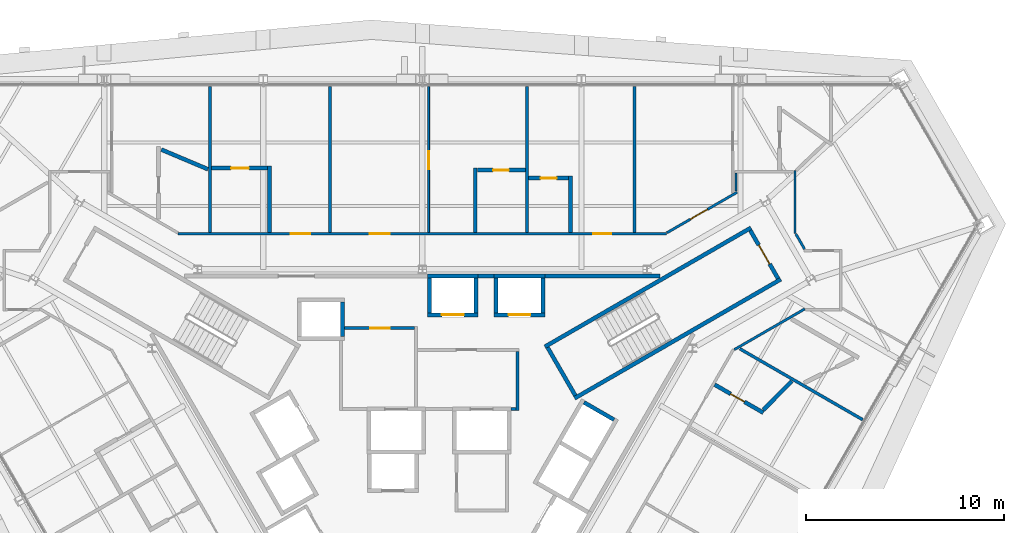
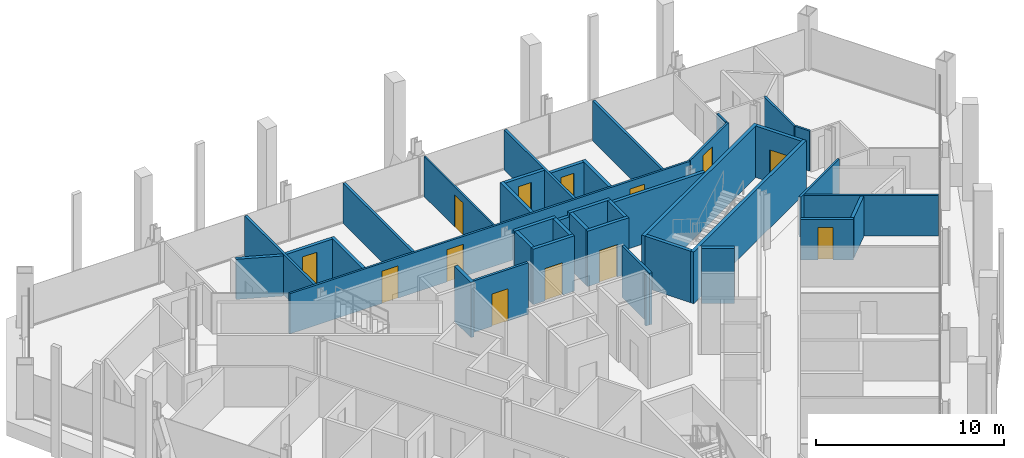
# One storey, part 13 of 16: 40 walls, 13 doors, 13 openings.
"""IFC4 building model written with IfcOpenShell, lengths in metres."""

from ifc_helpers import new_model, si_unit, direction, frame, frame_2d, origin, place, context, subcontext, project, spatial, rectangle, extrude, material, layer, layer_set, type_object, element, fill, save


model = new_model("IFC4")

# Units and contexts
model_context = context("Model", 3, precision=1e-05, world=origin(), true_north=direction((0.0, 1.0)))
body_context = subcontext(model_context, "Body", "Model", "MODEL_VIEW")
ifc_project = project(units=[si_unit("LENGTHUNIT", "METRE"), si_unit("AREAUNIT", "SQUARE_METRE"), si_unit("VOLUMEUNIT", "CUBIC_METRE"), si_unit("PLANEANGLEUNIT", "RADIAN"), si_unit("MASSUNIT", "GRAM", prefix="KILO")], contexts=[model_context])

# Site, building, storey
site_placement = place(None, origin())
site = spatial("IfcSite", under=ifc_project, at=site_placement, CompositionType="ELEMENT")
building_placement = place(site_placement, origin())
building = spatial("IfcBuilding", under=site, at=building_placement, Name="Verrane Prism Tower", CompositionType="ELEMENT")
storey_placement = place(building_placement, frame((0.0, 0.0, 114.39990234375)))
storey = spatial("IfcBuildingStorey", under=building, at=storey_placement, Name="L27", CompositionType="ELEMENT", Elevation=114.39990234375)

# Walls
ifc_material_1 = material(Name="Gypsum board partition", Category="other")
ifc_layer_1 = layer(ifc_material_1, 0.199951171875)
ifc_layer_set_1 = layer_set([ifc_layer_1], Name="CW-200 core boundary wall 2 h")
wall_type_1 = type_object("IfcWallType", Name="CW-200 core boundary wall 2 h", PredefinedType="PARTITIONING", material=ifc_layer_set_1)
wall_1_placement = place(storey_placement, frame((2.81689453125, 8.860107421875, 0.0), z_axis=(0.0, 0.0, 1.0), x_axis=(1.0, 0.0, 0.0)))
element("IfcWall", 1, at=wall_1_placement, inside=storey, type_object=wall_type_1, Name="Core boundary wall CW3-004", PredefinedType="PARTITIONING", context=body_context, shape_type="SweptSolid", body=[
    extrude(rectangle(XDim=0.80615234375, YDim=0.199951171875, at=frame_2d((0.403076171875, 0.0))), origin(), (0.0, 0.0, 1.0), 3.35009765625),
])
wall_2_placement = place(storey_placement, frame((6.177001953125, 8.860107421875, 0.0), z_axis=(0.0, 0.0, 1.0), x_axis=(1.0, 0.0, 0.0)))
element("IfcWall", 2, at=wall_2_placement, inside=storey, type_object=wall_type_1, Name="Core boundary wall CW3-006", PredefinedType="PARTITIONING", context=body_context, shape_type="SweptSolid", body=[
    extrude(rectangle(XDim=5.81396484375, YDim=0.199951171875, at=frame_2d((2.906982421875, 0.0))), origin(), (0.0, 0.0, 1.0), 3.35009765625),
])

# Wall, opening, door
ifc_material_2 = material(Name="Concrete C40/50", Category="concrete")
ifc_layer_2 = layer(ifc_material_2, 0.199951171875)
ifc_layer_set_2 = layer_set([ifc_layer_2], Name="CW-200 stair core wall concrete C40/50 3 h")
wall_type_2 = type_object("IfcWallType", Name="CW-200 stair core wall concrete C40/50 3 h", PredefinedType="PARTITIONING", material=ifc_layer_set_2)
wall_3_placement = place(storey_placement, frame((17.933837890625, 8.737548828125, 0.0), z_axis=(0.0, 0.0, 1.0), x_axis=(-0.49998411664, 0.866034573852, 0.0)))
wall_3 = element("IfcWall", 3, at=wall_3_placement, inside=storey, type_object=wall_type_2, Name="Stair 1 enclosure wall", PredefinedType="PARTITIONING", context=body_context, shape_type="SweptSolid", body=[
    extrude(rectangle(XDim=2.7998046875, YDim=0.199951171875, at=frame_2d((1.39990234375, 0.0))), origin(), (0.0, 0.0, 1.0), 3.35009765625),
])
opening_1_placement = place(wall_3_placement, frame((0.849853515625, 0.0, 0.0)))
opening_1 = element("IfcOpeningElement", 4, at=opening_1_placement, cuts=wall_3, Name="Opening D27500", PredefinedType="OPENING", context=body_context, shape_type="SweptSolid", body=[
    extrude(rectangle(XDim=1.10009765625, YDim=2.10009765625, at=frame_2d((0.550048828125, 1.050048828125))), frame((0.0, 0.10986328125, 0.0), z_axis=(0.0, -1.0, 0.0), x_axis=(1.0, 0.0, 0.0)), (0.0, 0.0, 1.0), 0.219970703125),
])
ifc_material_3 = material(Name="Timber veneered door leaf", Category="wood")
door_type_1 = type_object("IfcDoorType", Name="DR-1100x2100 FD90 single leaf stair", OperationType="NOTDEFINED", PredefinedType="DOOR", material=ifc_material_3)
door_1_placement = place(opening_1_placement, origin())
door_1 = element("IfcDoor", 5, at=door_1_placement, inside=storey, type_object=door_type_1, Name="Stair 1 door", OperationType="SINGLE_SWING_LEFT", OverallHeight=2.10009765625, OverallWidth=1.10009765625, PredefinedType="DOOR", context=body_context, shape_type="SweptSolid", body=[
    extrude(rectangle(XDim=1.10009765625, YDim=2.10009765625, at=frame_2d((0.550048828125, 1.050048828125))), frame((0.0, 0.02490234375, 0.0), z_axis=(0.0, -1.0, 0.0), x_axis=(1.0, 0.0, 0.0)), (0.0, 0.0, 1.0), 0.050048828125),
])
fill(opening_1, door_1)

# Walls
for number, where, z_axis, x_axis, name in (
    (6, (6.17822265625, 5.299072265625, 0.0), (0.0, 0.0, 1.0), (0.866026010844, 0.49999894854, 0.0), "Stair 1 enclosure wall"),
    (7, (7.67822265625, 2.700927734375, 0.0), (0.0, 0.0, 1.0), (0.866026010844, 0.49999894854, 0.0), "Stair 1 enclosure wall"),
):
    element("IfcWall", number, at=place(storey_placement, frame(where, z_axis=z_axis, x_axis=x_axis)), inside=storey, type_object=wall_type_2, Name=name, PredefinedType="PARTITIONING", context=body_context, shape_type="SweptSolid", body=[
        extrude(rectangle(XDim=12.0, YDim=0.199951171875, at=frame_2d((6.0, 0.0))), origin(), (0.0, 0.0, 1.0), 3.35009765625),
    ])
wall_4_placement = place(storey_placement, frame((7.71484375, 2.837646484375, 0.0), z_axis=(0.0, 0.0, 1.0), x_axis=(-0.500049511043, 0.865996816683, 0.0)))
element("IfcWall", 8, at=wall_4_placement, inside=storey, type_object=wall_type_2, Name="Stair 1 enclosure wall", PredefinedType="PARTITIONING", context=body_context, shape_type="SweptSolid", body=[
    extrude(rectangle(XDim=2.800048828125, YDim=0.199951171875, at=frame_2d((1.39990234375, 0.0))), origin(), (0.0, 0.0, 1.0), 3.35009765625),
])

# Wall, opening, door
ifc_material_4 = material(Name="Gypsum board shaft wall assembly", Category="other")
ifc_layer_3 = layer(ifc_material_4, 0.199951171875)
ifc_layer_set_3 = layer_set([ifc_layer_3], Name="HW-200 lift shaft wall 2 h")
wall_type_3 = type_object("IfcWallType", Name="HW-200 lift shaft wall 2 h", PredefinedType="PARTITIONING", material=ifc_layer_set_3)
wall_5_placement = place(storey_placement, frame((0.264892578125, 6.909912109375, 0.0), z_axis=(0.0, 0.0, 1.0), x_axis=(1.0, 0.0, 0.0)))
wall_5 = element("IfcWall", 9, at=wall_5_placement, inside=storey, type_object=wall_type_3, Name="Lift shaft wall", PredefinedType="PARTITIONING", context=body_context, shape_type="SweptSolid", body=[
    extrude(rectangle(XDim=2.550048828125, YDim=0.199951171875, at=frame_2d((1.27490234375, 0.0))), origin(), (0.0, 0.0, 1.0), 3.60009765625),
])
opening_2_placement = place(wall_5_placement, frame((0.72509765625, 0.0, 0.0)))
opening_2 = element("IfcOpeningElement", 10, at=opening_2_placement, cuts=wall_5, Name="Opening D27503", PredefinedType="OPENING", context=body_context, shape_type="SweptSolid", body=[
    extrude(rectangle(XDim=1.10009765625, YDim=2.10009765625, at=frame_2d((0.550048828125, 1.050048828125))), frame((0.0, 0.10986328125, 0.0), z_axis=(0.0, -1.0, 0.0), x_axis=(1.0, 0.0, 0.0)), (0.0, 0.0, 1.0), 0.219970703125),
])
ifc_material_5 = material(Name="Stainless steel sliding landing door", Category="steel")
door_type_2 = type_object("IfcDoorType", Name="LD-1100x2100 lift landing door FD90 sliding", OperationType="NOTDEFINED", PredefinedType="DOOR", material=ifc_material_5)
door_2_placement = place(opening_2_placement, origin())
door_2 = element("IfcDoor", 11, at=door_2_placement, inside=storey, type_object=door_type_2, Name="Bank A lift 1 landing door", OperationType="SLIDING_TO_LEFT", OverallHeight=2.10009765625, OverallWidth=1.10009765625, PredefinedType="DOOR", context=body_context, shape_type="SweptSolid", body=[
    extrude(rectangle(XDim=1.10009765625, YDim=2.10009765625, at=frame_2d((0.550048828125, 1.050048828125))), frame((0.0, 0.02490234375, 0.0), z_axis=(0.0, -1.0, 0.0), x_axis=(1.0, 0.0, 0.0)), (0.0, 0.0, 1.0), 0.050048828125),
])
fill(opening_2, door_2)

wall_6_placement = place(storey_placement, frame((3.625, 6.909912109375, 0.0), z_axis=(0.0, 0.0, 1.0), x_axis=(1.0, 0.0, 0.0)))
wall_6 = element("IfcWall", 12, at=wall_6_placement, inside=storey, type_object=wall_type_3, Name="Lift shaft wall", PredefinedType="PARTITIONING", context=body_context, shape_type="SweptSolid", body=[
    extrude(rectangle(XDim=2.550048828125, YDim=0.199951171875, at=frame_2d((1.27490234375, 0.0))), origin(), (0.0, 0.0, 1.0), 3.60009765625),
])
opening_3_placement = place(wall_6_placement, frame((0.72509765625, 0.0, 0.0)))
opening_3 = element("IfcOpeningElement", 13, at=opening_3_placement, cuts=wall_6, Name="Opening D27505", PredefinedType="OPENING", context=body_context, shape_type="SweptSolid", body=[
    extrude(rectangle(XDim=1.10009765625, YDim=2.10009765625, at=frame_2d((0.550048828125, 1.050048828125))), frame((0.0, 0.10986328125, 0.0), z_axis=(0.0, -1.0, 0.0), x_axis=(1.0, 0.0, 0.0)), (0.0, 0.0, 1.0), 0.219970703125),
])
door_3_placement = place(opening_3_placement, origin())
door_3 = element("IfcDoor", 14, at=door_3_placement, inside=storey, type_object=door_type_2, Name="Bank A lift 3 landing door", OperationType="SLIDING_TO_LEFT", OverallHeight=2.10009765625, OverallWidth=1.10009765625, PredefinedType="DOOR", context=body_context, shape_type="SweptSolid", body=[
    extrude(rectangle(XDim=1.10009765625, YDim=2.10009765625, at=frame_2d((0.550048828125, 1.050048828125))), frame((0.0, 0.02490234375, 0.0), z_axis=(0.0, -1.0, 0.0), x_axis=(1.0, 0.0, 0.0)), (0.0, 0.0, 1.0), 0.050048828125),
])
fill(opening_3, door_3)

# Walls
for number, where, z_axis, x_axis, name in (
    (15, (0.264892578125, 8.860107421875, 0.0), (0.0, 0.0, 1.0), (1.0, 0.0, 0.0), "Lift shaft wall"),
    (16, (3.625, 8.860107421875, 0.0), (0.0, 0.0, 1.0), (1.0, 0.0, 0.0), "Lift shaft wall"),
):
    element("IfcWall", number, at=place(storey_placement, frame(where, z_axis=z_axis, x_axis=x_axis)), inside=storey, type_object=wall_type_3, Name=name, PredefinedType="PARTITIONING", context=body_context, shape_type="SweptSolid", body=[
        extrude(rectangle(XDim=2.550048828125, YDim=0.199951171875, at=frame_2d((1.27490234375, 0.0))), origin(), (0.0, 0.0, 1.0), 3.60009765625),
    ])
for number, where, z_axis, x_axis, name in (
    (17, (6.074951171875, 7.010009765625, 0.0), (0.0, 0.0, 1.0), (0.0, 1.0, 0.0), "Lift shaft wall"),
    (18, (3.72509765625, 7.010009765625, 0.0), (0.0, 0.0, 1.0), (0.0, 1.0, 0.0), "Lift shaft wall"),
    (19, (2.715087890625, 7.010009765625, 0.0), (0.0, 0.0, 1.0), (0.0, 1.0, 0.0), "Lift shaft wall"),
    (20, (0.364990234375, 7.010009765625, 0.0), (0.0, 0.0, 1.0), (0.0, 1.0, 0.0), "Lift shaft wall"),
    (21, (-4.034912109375, 5.81005859375, 0.0), (0.0, 0.0, 1.0), (0.0, 1.0, 0.0), "Lift shaft wall"),
):
    element("IfcWall", number, at=place(storey_placement, frame(where, z_axis=z_axis, x_axis=x_axis)), inside=storey, type_object=wall_type_3, Name=name, PredefinedType="PARTITIONING", context=body_context, shape_type="SweptSolid", body=[
        extrude(rectangle(XDim=1.75, YDim=0.199951171875, at=frame_2d((0.875, 0.0))), origin(), (0.0, 0.0, 1.0), 3.60009765625),
    ])
wall_7_placement = place(storey_placement, frame((9.66455078125, 1.61962890625, 0.0), z_axis=(0.0, 0.0, 1.0), x_axis=(-0.866002029911, 0.500040482552, 0.0)))
element("IfcWall", 22, at=wall_7_placement, inside=storey, type_object=wall_type_3, Name="Lift shaft wall", PredefinedType="PARTITIONING", context=body_context, shape_type="SweptSolid", body=[
    extrude(rectangle(XDim=1.749755859375, YDim=0.199951171875, at=frame_2d((0.875, 0.0))), origin(), (0.0, 0.0, 1.0), 3.60009765625),
])

# Wall, opening, door
ifc_material_6 = material(Name="Gypsum board partition", Category="other")
ifc_layer_4 = layer(ifc_material_6, 0.14990234375)
ifc_layer_set_4 = layer_set([ifc_layer_4], Name="LF-150 firefighting lobby wall 1 h")
wall_type_4 = type_object("IfcWallType", Name="LF-150 firefighting lobby wall 1 h", PredefinedType="PARTITIONING", material=ifc_layer_set_4)
wall_8_placement = place(storey_placement, frame((-3.93310546875, 6.239990234375, 0.0), z_axis=(0.0, 0.0, 1.0), x_axis=(1.0, 0.0, 0.0)))
wall_8 = element("IfcWall", 23, at=wall_8_placement, inside=storey, type_object=wall_type_4, Name="Firefighting lobby wall LF1-003", PredefinedType="PARTITIONING", context=body_context, shape_type="SweptSolid", body=[
    extrude(rectangle(XDim=3.5380859375, YDim=0.14990234375, at=frame_2d((1.76904296875, 0.0))), origin(), (0.0, 0.0, 1.0), 3.35009765625),
])
opening_4_placement = place(wall_8_placement, frame((1.300048828125, 0.0, 0.0)))
opening_4 = element("IfcOpeningElement", 24, at=opening_4_placement, cuts=wall_8, Name="Opening D27515", PredefinedType="OPENING", context=body_context, shape_type="SweptSolid", body=[
    extrude(rectangle(XDim=1.0, YDim=2.10009765625, at=frame_2d((0.5, 1.050048828125))), frame((0.0, 0.0849609375, 0.0), z_axis=(0.0, -1.0, 0.0), x_axis=(1.0, 0.0, 0.0)), (0.0, 0.0, 1.0), 0.169921875),
])
ifc_material_7 = material(Name="Timber veneered door leaf", Category="wood")
door_type_3 = type_object("IfcDoorType", Name="DR-1000x2100 FD60 single leaf firefighting lobby", OperationType="NOTDEFINED", PredefinedType="DOOR", material=ifc_material_7)
door_4_placement = place(opening_4_placement, origin())
door_4 = element("IfcDoor", 25, at=door_4_placement, inside=storey, type_object=door_type_3, Name="Firefighting lobby door D27515", OperationType="SINGLE_SWING_LEFT", OverallHeight=2.10009765625, OverallWidth=1.0, PredefinedType="DOOR", context=body_context, shape_type="SweptSolid", body=[
    extrude(rectangle(XDim=1.0, YDim=2.10009765625, at=frame_2d((0.5, 1.050048828125))), frame((0.0, 0.02490234375, 0.0), z_axis=(0.0, -1.0, 0.0), x_axis=(1.0, 0.0, 0.0)), (0.0, 0.0, 1.0), 0.050048828125),
])
fill(opening_4, door_4)

# Walls
wall_9_placement = place(storey_placement, frame((4.47705078125, 2.159912109375, 0.0), z_axis=(0.0, 0.0, 1.0), x_axis=(1.0, 0.0, 0.0)))
element("IfcWall", 26, at=wall_9_placement, inside=storey, type_object=wall_type_4, Name="Firefighting lobby wall LF1-007", PredefinedType="PARTITIONING", context=body_context, shape_type="SweptSolid", body=[
    extrude(rectangle(XDim=0.238037109375, YDim=0.14990234375, at=frame_2d((0.119140625, 0.0))), origin(), (0.0, 0.0, 1.0), 3.35009765625),
])
wall_10_placement = place(storey_placement, frame((4.7900390625, 2.0849609375, 0.0), z_axis=(0.0, 0.0, 1.0), x_axis=(0.0, 1.0, 0.0)))
element("IfcWall", 27, at=wall_10_placement, inside=storey, type_object=wall_type_4, Name="Firefighting lobby wall LF1-008", PredefinedType="PARTITIONING", context=body_context, shape_type="SweptSolid", body=[
    extrude(rectangle(XDim=2.97998046875, YDim=0.14990234375, at=frame_2d((1.489990234375, 0.0))), origin(), (0.0, 0.0, 1.0), 3.35009765625),
])

# Wall, opening, door
ifc_material_8 = material(Name="Gypsum board partition", Category="other")
ifc_layer_5 = layer(ifc_material_8, 0.10009765625)
ifc_layer_set_5 = layer_set([ifc_layer_5], Name="PW-100 room partition")
wall_type_5 = type_object("IfcWallType", Name="PW-100 room partition", PredefinedType="PARTITIONING", material=ifc_layer_set_5)
wall_11_placement = place(storey_placement, frame((0.31298828125, 18.4150390625, 0.0), z_axis=(0.0, 0.0, 1.0), x_axis=(0.0, -1.0, 0.0)))
wall_11 = element("IfcWall", 28, at=wall_11_placement, inside=storey, type_object=wall_type_5, Name="Room partition 038", PredefinedType="PARTITIONING", context=body_context, shape_type="SweptSolid", body=[
    extrude(rectangle(XDim=7.3525390625, YDim=0.10009765625, at=frame_2d((3.67626953125, 0.0))), origin(), (0.0, 0.0, 1.0), 2.613037109375),
])
opening_5_placement = place(wall_11_placement, frame((3.264892578125, 0.0, 0.0)))
opening_5 = element("IfcOpeningElement", 29, at=opening_5_placement, cuts=wall_11, Name="Opening D27007", PredefinedType="OPENING", context=body_context, shape_type="SweptSolid", body=[
    extrude(rectangle(XDim=0.89990234375, YDim=2.10009765625, at=frame_2d((0.449951171875, 1.050048828125))), frame((0.0, 0.06005859375, 0.0), z_axis=(0.0, -1.0, 0.0), x_axis=(1.0, 0.0, 0.0)), (0.0, 0.0, 1.0), 0.1201171875),
])
ifc_material_9 = material(Name="Timber veneered door leaf", Category="wood")
door_type_4 = type_object("IfcDoorType", Name="DR-900x2100 single leaf inner", OperationType="NOTDEFINED", PredefinedType="DOOR", material=ifc_material_9)
door_5_placement = place(opening_5_placement, origin())
door_5 = element("IfcDoor", 30, at=door_5_placement, inside=storey, type_object=door_type_4, Name="Suite Living Room door", OperationType="SINGLE_SWING_RIGHT", OverallHeight=2.10009765625, OverallWidth=0.89990234375, PredefinedType="DOOR", context=body_context, shape_type="SweptSolid", body=[
    extrude(rectangle(XDim=0.89990234375, YDim=2.10009765625, at=frame_2d((0.449951171875, 1.050048828125))), frame((0.0, 0.02490234375, 0.0), z_axis=(0.0, -1.0, 0.0), x_axis=(1.0, 0.0, 0.0)), (0.0, 0.0, 1.0), 0.050048828125),
])
fill(opening_5, door_5)

# Wall, openings, doors
ifc_material_10 = material(Name="Gypsum board partition", Category="other")
ifc_layer_6 = layer(ifc_material_10, 0.125)
ifc_layer_set_6 = layer_set([ifc_layer_6], Name="PW-125 corridor wall 1 h")
wall_type_6 = type_object("IfcWallType", Name="PW-125 corridor wall 1 h", PredefinedType="PARTITIONING", material=ifc_layer_set_6)
wall_12_placement = place(storey_placement, frame((-12.3154296875, 11.0, 0.0), z_axis=(0.0, 0.0, 1.0), x_axis=(1.0, 0.0, 0.0)))
wall_12 = element("IfcWall", 31, at=wall_12_placement, inside=storey, type_object=wall_type_6, Name="Corridor wall 026", PredefinedType="PARTITIONING", context=body_context, shape_type="SweptSolid", body=[
    extrude(rectangle(XDim=24.630859375, YDim=0.125, at=frame_2d((12.3154296875, 0.0))), origin(), (0.0, 0.0, 1.0), 2.613037109375),
])
opening_6_placement = place(wall_12_placement, frame((20.9345703125, 0.0, 0.0)))
opening_6 = element("IfcOpeningElement", 32, at=opening_6_placement, cuts=wall_12, Name="Opening D27004", PredefinedType="OPENING", context=body_context, shape_type="SweptSolid", body=[
    extrude(rectangle(XDim=0.89990234375, YDim=2.10009765625, at=frame_2d((0.449951171875, 1.050048828125))), frame((0.0, 0.072509765625, 0.0), z_axis=(0.0, -1.0, 0.0), x_axis=(1.0, 0.0, 0.0)), (0.0, 0.0, 1.0), 0.14501953125),
])
opening_7_placement = place(wall_12_placement, frame((9.672607421875, 0.0, 0.0)))
opening_7 = element("IfcOpeningElement", 33, at=opening_7_placement, cuts=wall_12, Name="Opening D27006", PredefinedType="OPENING", context=body_context, shape_type="SweptSolid", body=[
    extrude(rectangle(XDim=1.0, YDim=2.10009765625, at=frame_2d((0.5, 1.050048828125))), frame((0.0, 0.072509765625, 0.0), z_axis=(0.0, -1.0, 0.0), x_axis=(1.0, 0.0, 0.0)), (0.0, 0.0, 1.0), 0.14501953125),
])
opening_8_placement = place(wall_12_placement, frame((5.67041015625, 0.0, 0.0)))
opening_8 = element("IfcOpeningElement", 34, at=opening_8_placement, cuts=wall_12, Name="Opening D27009", PredefinedType="OPENING", context=body_context, shape_type="SweptSolid", body=[
    extrude(rectangle(XDim=1.0, YDim=2.10009765625, at=frame_2d((0.5, 1.050048828125))), frame((0.0, 0.072509765625, 0.0), z_axis=(0.0, -1.0, 0.0), x_axis=(1.0, 0.0, 0.0)), (0.0, 0.0, 1.0), 0.14501953125),
])
ifc_material_11 = material(Name="Timber veneered door leaf", Category="wood")
door_type_5 = type_object("IfcDoorType", Name="DR-1000x2100 FD20 single leaf unit", OperationType="NOTDEFINED", PredefinedType="DOOR", material=ifc_material_11)
door_6_placement = place(opening_7_placement, origin())
door_6 = element("IfcDoor", 35, at=door_6_placement, inside=storey, type_object=door_type_5, Name="Suite Living Room door", OperationType="SINGLE_SWING_RIGHT", OverallHeight=2.10009765625, OverallWidth=1.0, PredefinedType="DOOR", context=body_context, shape_type="SweptSolid", body=[
    extrude(rectangle(XDim=1.0, YDim=2.10009765625, at=frame_2d((0.5, 1.050048828125))), frame((0.0, 0.02490234375, 0.0), z_axis=(0.0, -1.0, 0.0), x_axis=(1.0, 0.0, 0.0)), (0.0, 0.0, 1.0), 0.050048828125),
])
fill(opening_7, door_6)
door_7_placement = place(opening_8_placement, origin())
door_7 = element("IfcDoor", 36, at=door_7_placement, inside=storey, type_object=door_type_5, Name="Accessible Guest Room door", OperationType="SINGLE_SWING_LEFT", OverallHeight=2.10009765625, OverallWidth=1.0, PredefinedType="DOOR", context=body_context, shape_type="SweptSolid", body=[
    extrude(rectangle(XDim=1.0, YDim=2.10009765625, at=frame_2d((0.5, 1.050048828125))), frame((0.0, 0.02490234375, 0.0), z_axis=(0.0, -1.0, 0.0), x_axis=(1.0, 0.0, 0.0)), (0.0, 0.0, 1.0), 0.050048828125),
])
fill(opening_8, door_7)
ifc_material_12 = material(Name="Timber veneered door leaf", Category="wood")
door_type_6 = type_object("IfcDoorType", Name="DR-900x2100 FD20 single leaf unit", OperationType="NOTDEFINED", PredefinedType="DOOR", material=ifc_material_12)
door_8_placement = place(opening_6_placement, origin())
door_8 = element("IfcDoor", 37, at=door_8_placement, inside=storey, type_object=door_type_6, Name="Guest Room door", OperationType="SINGLE_SWING_RIGHT", OverallHeight=2.10009765625, OverallWidth=0.89990234375, PredefinedType="DOOR", context=body_context, shape_type="SweptSolid", body=[
    extrude(rectangle(XDim=0.89990234375, YDim=2.10009765625, at=frame_2d((0.449951171875, 1.050048828125))), frame((0.0, 0.02490234375, 0.0), z_axis=(0.0, -1.0, 0.0), x_axis=(1.0, 0.0, 0.0)), (0.0, 0.0, 1.0), 0.050048828125),
])
fill(opening_6, door_8)

# Wall, opening, door
wall_13_placement = place(storey_placement, frame((12.32666015625, 11.04248046875, 0.0), z_axis=(0.0, 0.0, 1.0), x_axis=(0.866070231021, 0.499922348909, 0.0)))
wall_13 = element("IfcWall", 38, at=wall_13_placement, inside=storey, type_object=wall_type_6, Name="Corridor wall 058", PredefinedType="PARTITIONING", context=body_context, shape_type="SweptSolid", body=[
    extrude(rectangle(XDim=4.088134765625, YDim=0.125, at=frame_2d((2.0439453125, 0.0))), origin(), (0.0, 0.0, 1.0), 2.613037109375),
])
opening_9_placement = place(wall_13_placement, frame((1.364990234375, 0.0, 0.0)))
opening_9 = element("IfcOpeningElement", 39, at=opening_9_placement, cuts=wall_13, Name="Opening D27001", PredefinedType="OPENING", context=body_context, shape_type="SweptSolid", body=[
    extrude(rectangle(XDim=1.0, YDim=2.10009765625, at=frame_2d((0.5, 1.050048828125))), frame((0.0, 0.072509765625, 0.0), z_axis=(0.0, -1.0, 0.0), x_axis=(1.0, 0.0, 0.0)), (0.0, 0.0, 1.0), 0.14501953125),
])
door_9_placement = place(opening_9_placement, origin())
door_9 = element("IfcDoor", 40, at=door_9_placement, inside=storey, type_object=door_type_5, Name="Suite Living Room door", OperationType="SINGLE_SWING_LEFT", OverallHeight=2.10009765625, OverallWidth=1.0, PredefinedType="DOOR", context=body_context, shape_type="SweptSolid", body=[
    extrude(rectangle(XDim=1.0, YDim=2.10009765625, at=frame_2d((0.5, 1.050048828125))), frame((0.0, 0.02490234375, 0.0), z_axis=(0.0, -1.0, 0.0), x_axis=(1.0, 0.0, 0.0)), (0.0, 0.0, 1.0), 0.050048828125),
])
fill(opening_9, door_9)

# Walls
wall_14_placement = place(storey_placement, frame((15.7265625, 5.153564453125, 0.0), z_axis=(0.0, 0.0, 1.0), x_axis=(0.865992261418, 0.50005739987, 0.0)))
element("IfcWall", 41, at=wall_14_placement, inside=storey, type_object=wall_type_6, Name="Corridor wall 062", PredefinedType="PARTITIONING", context=body_context, shape_type="SweptSolid", body=[
    extrude(rectangle(XDim=4.10107421875, YDim=0.125, at=frame_2d((2.050537109375, 0.0))), origin(), (0.0, 0.0, 1.0), 2.613037109375),
])
wall_15_placement = place(storey_placement, frame((15.81298828125, 13.139892578125, 0.0), z_axis=(0.0, 0.0, 1.0), x_axis=(0.0, 1.0, 0.0)))
element("IfcWall", 42, at=wall_15_placement, inside=storey, type_object=wall_type_6, Name="Corridor wall 063", PredefinedType="PARTITIONING", context=body_context, shape_type="SweptSolid", body=[
    extrude(rectangle(XDim=0.922119140625, YDim=0.125, at=frame_2d((0.4609375, 0.0))), origin(), (0.0, 0.0, 1.0), 2.613037109375),
])
wall_16_placement = place(storey_placement, frame((18.787109375, 10.99755859375, 0.0), z_axis=(0.0, 0.0, 1.0), x_axis=(0.0, 1.0, 0.0)))
element("IfcWall", 43, at=wall_16_placement, inside=storey, type_object=wall_type_6, Name="Corridor wall 070", PredefinedType="PARTITIONING", context=body_context, shape_type="SweptSolid", body=[
    extrude(rectangle(XDim=3.19189453125, YDim=0.125, at=frame_2d((1.595947265625, 0.0))), origin(), (0.0, 0.0, 1.0), 2.613037109375),
])
wall_17_placement = place(storey_placement, frame((18.82958984375, 10.986328125, 0.0), z_axis=(0.0, 0.0, 1.0), x_axis=(0.499881837328, -0.866093614288, 0.0)))
element("IfcWall", 44, at=wall_17_placement, inside=storey, type_object=wall_type_6, Name="Corridor wall 071", PredefinedType="PARTITIONING", context=body_context, shape_type="SweptSolid", body=[
    extrude(rectangle(XDim=0.884033203125, YDim=0.125, at=frame_2d((0.44189453125, 0.0))), origin(), (0.0, 0.0, 1.0), 2.613037109375),
])
ifc_material_13 = material(Name="Gypsum board partition", Category="other")
ifc_layer_7 = layer(ifc_material_13, 0.14990234375)
ifc_layer_set_7 = layer_set([ifc_layer_7], Name="PW-150 demising wall 1 h")
wall_type_7 = type_object("IfcWallType", Name="PW-150 demising wall 1 h", PredefinedType="PARTITIONING", material=ifc_layer_set_7)
for number, where, z_axis, x_axis, name in (
    (45, (-10.695068359375, 11.0625, 0.0), (0.0, 0.0, 1.0), (0.0, 1.0, 0.0), "Demising wall 028"),
    (46, (-4.64306640625, 11.0625, 0.0), (0.0, 0.0, 1.0), (0.0, 1.0, 0.0), "Demising wall 036"),
    (47, (5.26904296875, 11.0625, 0.0), (0.0, 0.0, 1.0), (0.0, 1.0, 0.0), "Demising wall 046"),
    (48, (10.695068359375, 11.0625, 0.0), (0.0, 0.0, 1.0), (0.0, 1.0, 0.0), "Demising wall 055"),
):
    element("IfcWall", number, at=place(storey_placement, frame(where, z_axis=z_axis, x_axis=x_axis)), inside=storey, type_object=wall_type_7, Name=name, PredefinedType="PARTITIONING", context=body_context, shape_type="SweptSolid", body=[
        extrude(rectangle(XDim=7.3525390625, YDim=0.14990234375, at=frame_2d((3.67626953125, 0.0))), origin(), (0.0, 0.0, 1.0), 2.613037109375),
    ])
wall_18_placement = place(storey_placement, frame((16.00390625, 5.1982421875, 0.0), z_axis=(0.0, 0.0, 1.0), x_axis=(0.866025331845, -0.500000124603, 0.0)))
element("IfcWall", 49, at=wall_18_placement, inside=storey, type_object=wall_type_7, Name="Demising wall 065", PredefinedType="PARTITIONING", context=body_context, shape_type="SweptSolid", body=[
    extrude(rectangle(XDim=7.154296875, YDim=0.14990234375, at=frame_2d((3.5771484375, 0.0))), origin(), (0.0, 0.0, 1.0), 2.613037109375),
])
ifc_material_14 = material(Name="Gypsum board partition", Category="other")
ifc_layer_8 = layer(ifc_material_14, 0.199951171875)
ifc_layer_set_8 = layer_set([ifc_layer_8], Name="PW-200 plumbing wall")
wall_type_8 = type_object("IfcWallType", Name="PW-200 plumbing wall", PredefinedType="PARTITIONING", material=ifc_layer_set_8)
wall_19_placement = place(storey_placement, frame((-13.15673828125, 15.23876953125, 0.0), z_axis=(0.0, 0.0, 1.0), x_axis=(0.921335745266, -0.388767854247, 0.0)))
element("IfcWall", 50, at=wall_19_placement, inside=storey, type_object=wall_type_8, Name="Plumbing wall 025", PredefinedType="PARTITIONING", context=body_context, shape_type="SweptSolid", body=[
    extrude(rectangle(XDim=2.54833984375, YDim=0.199951171875, at=frame_2d((1.274169921875, 0.0))), origin(), (0.0, 0.0, 1.0), 2.613037109375),
])

# Wall, opening, door
wall_20_placement = place(storey_placement, frame((-7.794921875, 14.300048828125, 0.0), z_axis=(0.0, 0.0, 1.0), x_axis=(-1.0, 0.0, 0.0)))
wall_20 = element("IfcWall", 51, at=wall_20_placement, inside=storey, type_object=wall_type_8, Name="Plumbing wall 029", PredefinedType="PARTITIONING", context=body_context, shape_type="SweptSolid", body=[
    extrude(rectangle(XDim=2.8251953125, YDim=0.199951171875, at=frame_2d((1.41259765625, 0.0))), origin(), (0.0, 0.0, 1.0), 2.613037109375),
])
opening_10_placement = place(wall_20_placement, frame((0.949951171875, 0.0, 0.0)))
opening_10 = element("IfcOpeningElement", 52, at=opening_10_placement, cuts=wall_20, Name="Opening D27010", PredefinedType="OPENING", context=body_context, shape_type="SweptSolid", body=[
    extrude(rectangle(XDim=0.89990234375, YDim=2.10009765625, at=frame_2d((0.449951171875, 1.050048828125))), frame((0.0, 0.10986328125, 0.0), z_axis=(0.0, -1.0, 0.0), x_axis=(1.0, 0.0, 0.0)), (0.0, 0.0, 1.0), 0.219970703125),
])
ifc_material_15 = material(Name="Timber veneered door leaf", Category="wood")
door_type_7 = type_object("IfcDoorType", Name="DR-900x2100 single leaf bath", OperationType="NOTDEFINED", PredefinedType="DOOR", material=ifc_material_15)
door_10_placement = place(opening_10_placement, origin())
door_10 = element("IfcDoor", 53, at=door_10_placement, inside=storey, type_object=door_type_7, Name="En-Suite door", OperationType="SINGLE_SWING_LEFT", OverallHeight=2.10009765625, OverallWidth=0.89990234375, PredefinedType="DOOR", context=body_context, shape_type="SweptSolid", body=[
    extrude(rectangle(XDim=0.89990234375, YDim=2.10009765625, at=frame_2d((0.449951171875, 1.050048828125))), frame((0.0, 0.02490234375, 0.0), z_axis=(0.0, -1.0, 0.0), x_axis=(1.0, 0.0, 0.0)), (0.0, 0.0, 1.0), 0.050048828125),
])
fill(opening_10, door_10)

# Walls
wall_21_placement = place(storey_placement, frame((-7.695068359375, 11.0625, 0.0), z_axis=(0.0, 0.0, 1.0), x_axis=(0.0, 1.0, 0.0)))
element("IfcWall", 54, at=wall_21_placement, inside=storey, type_object=wall_type_8, Name="Plumbing wall 034", PredefinedType="PARTITIONING", context=body_context, shape_type="SweptSolid", body=[
    extrude(rectangle(XDim=3.33740234375, YDim=0.199951171875, at=frame_2d((1.668701171875, 0.0))), origin(), (0.0, 0.0, 1.0), 2.613037109375),
])
wall_22_placement = place(storey_placement, frame((2.6689453125, 11.0625, 0.0), z_axis=(0.0, 0.0, 1.0), x_axis=(0.0, 1.0, 0.0)))
element("IfcWall", 55, at=wall_22_placement, inside=storey, type_object=wall_type_8, Name="Plumbing wall 039", PredefinedType="PARTITIONING", context=body_context, shape_type="SweptSolid", body=[
    extrude(rectangle(XDim=3.237548828125, YDim=0.199951171875, at=frame_2d((1.61865234375, 0.0))), origin(), (0.0, 0.0, 1.0), 2.613037109375),
])

# Wall, opening, door
wall_23_placement = place(storey_placement, frame((5.194091796875, 14.199951171875, 0.0), z_axis=(0.0, 0.0, 1.0), x_axis=(-1.0, 0.0, 0.0)))
wall_23 = element("IfcWall", 56, at=wall_23_placement, inside=storey, type_object=wall_type_8, Name="Plumbing wall 040", PredefinedType="PARTITIONING", context=body_context, shape_type="SweptSolid", body=[
    extrude(rectangle(XDim=2.425048828125, YDim=0.199951171875, at=frame_2d((1.21240234375, 0.0))), origin(), (0.0, 0.0, 1.0), 2.613037109375),
])
opening_11_placement = place(wall_23_placement, frame((0.824951171875, 0.0, 0.0)))
opening_11 = element("IfcOpeningElement", 57, at=opening_11_placement, cuts=wall_23, Name="Opening D27008", PredefinedType="OPENING", context=body_context, shape_type="SweptSolid", body=[
    extrude(rectangle(XDim=0.800048828125, YDim=2.10009765625, at=frame_2d((0.39990234375, 1.050048828125))), frame((0.0, 0.10986328125, 0.0), z_axis=(0.0, -1.0, 0.0), x_axis=(1.0, 0.0, 0.0)), (0.0, 0.0, 1.0), 0.219970703125),
])
ifc_material_16 = material(Name="Timber veneered door leaf", Category="wood")
door_type_8 = type_object("IfcDoorType", Name="DR-800x2100 single leaf bath", OperationType="NOTDEFINED", PredefinedType="DOOR", material=ifc_material_16)
door_11_placement = place(opening_11_placement, origin())
door_11 = element("IfcDoor", 58, at=door_11_placement, inside=storey, type_object=door_type_8, Name="En-Suite door", OperationType="SINGLE_SWING_LEFT", OverallHeight=2.10009765625, OverallWidth=0.800048828125, PredefinedType="DOOR", context=body_context, shape_type="SweptSolid", body=[
    extrude(rectangle(XDim=0.800048828125, YDim=2.10009765625, at=frame_2d((0.39990234375, 1.050048828125))), frame((0.0, 0.02490234375, 0.0), z_axis=(0.0, -1.0, 0.0), x_axis=(1.0, 0.0, 0.0)), (0.0, 0.0, 1.0), 0.050048828125),
])
fill(opening_11, door_11)

wall_24_placement = place(storey_placement, frame((7.368896484375, 13.800048828125, 0.0), z_axis=(0.0, 0.0, 1.0), x_axis=(-1.0, 0.0, 0.0)))
wall_24 = element("IfcWall", 59, at=wall_24_placement, inside=storey, type_object=wall_type_8, Name="Plumbing wall 047", PredefinedType="PARTITIONING", context=body_context, shape_type="SweptSolid", body=[
    extrude(rectangle(XDim=2.02490234375, YDim=0.199951171875, at=frame_2d((1.012451171875, 0.0))), origin(), (0.0, 0.0, 1.0), 2.613037109375),
])
opening_12_placement = place(wall_24_placement, frame((0.60009765625, 0.0, 0.0)))
opening_12 = element("IfcOpeningElement", 60, at=opening_12_placement, cuts=wall_24, Name="Opening D27005", PredefinedType="OPENING", context=body_context, shape_type="SweptSolid", body=[
    extrude(rectangle(XDim=0.800048828125, YDim=2.10009765625, at=frame_2d((0.39990234375, 1.050048828125))), frame((0.0, 0.10986328125, 0.0), z_axis=(0.0, -1.0, 0.0), x_axis=(1.0, 0.0, 0.0)), (0.0, 0.0, 1.0), 0.219970703125),
])
door_12_placement = place(opening_12_placement, origin())
door_12 = element("IfcDoor", 61, at=door_12_placement, inside=storey, type_object=door_type_8, Name="En-Suite door", OperationType="SINGLE_SWING_RIGHT", OverallHeight=2.10009765625, OverallWidth=0.800048828125, PredefinedType="DOOR", context=body_context, shape_type="SweptSolid", body=[
    extrude(rectangle(XDim=0.800048828125, YDim=2.10009765625, at=frame_2d((0.39990234375, 1.050048828125))), frame((0.0, 0.02490234375, 0.0), z_axis=(0.0, -1.0, 0.0), x_axis=(1.0, 0.0, 0.0)), (0.0, 0.0, 1.0), 0.050048828125),
])
fill(opening_12, door_12)

# Wall
wall_25_placement = place(storey_placement, frame((7.468994140625, 11.0625, 0.0), z_axis=(0.0, 0.0, 1.0), x_axis=(0.0, 1.0, 0.0)))
element("IfcWall", 62, at=wall_25_placement, inside=storey, type_object=wall_type_8, Name="Plumbing wall 050", PredefinedType="PARTITIONING", context=body_context, shape_type="SweptSolid", body=[
    extrude(rectangle(XDim=2.83740234375, YDim=0.199951171875, at=frame_2d((1.418701171875, 0.0))), origin(), (0.0, 0.0, 1.0), 2.613037109375),
])

# Wall, opening, door
wall_26_placement = place(storey_placement, frame((14.736572265625, 3.38916015625, 0.0), z_axis=(0.0, 0.0, 1.0), x_axis=(0.866033446572, -0.499986069224, 0.0)))
wall_26 = element("IfcWall", 63, at=wall_26_placement, inside=storey, type_object=wall_type_8, Name="Plumbing wall 060", PredefinedType="PARTITIONING", context=body_context, shape_type="SweptSolid", body=[
    extrude(rectangle(XDim=2.83251953125, YDim=0.199951171875, at=frame_2d((1.416259765625, 0.0))), origin(), (0.0, 0.0, 1.0), 2.613037109375),
])
opening_13_placement = place(wall_26_placement, frame((0.932373046875, 0.0, 0.0)))
opening_13 = element("IfcOpeningElement", 64, at=opening_13_placement, cuts=wall_26, Name="Opening D27036", PredefinedType="OPENING", context=body_context, shape_type="SweptSolid", body=[
    extrude(rectangle(XDim=0.800048828125, YDim=2.10009765625, at=frame_2d((0.39990234375, 1.050048828125))), frame((0.0, 0.10986328125, 0.0), z_axis=(0.0, -1.0, 0.0), x_axis=(1.0, 0.0, 0.0)), (0.0, 0.0, 1.0), 0.219970703125),
])
door_13_placement = place(opening_13_placement, origin())
door_13 = element("IfcDoor", 65, at=door_13_placement, inside=storey, type_object=door_type_8, Name="En-Suite door", OperationType="SINGLE_SWING_RIGHT", OverallHeight=2.10009765625, OverallWidth=0.800048828125, PredefinedType="DOOR", context=body_context, shape_type="SweptSolid", body=[
    extrude(rectangle(XDim=0.800048828125, YDim=2.10009765625, at=frame_2d((0.39990234375, 1.050048828125))), frame((0.0, 0.02490234375, 0.0), z_axis=(0.0, -1.0, 0.0), x_axis=(1.0, 0.0, 0.0)), (0.0, 0.0, 1.0), 0.050048828125),
])
fill(opening_13, door_13)

# Wall
wall_27_placement = place(storey_placement, frame((17.1875, 2.108154296875, 0.0), z_axis=(0.0, 0.0, 1.0), x_axis=(0.703527770295, 0.710667767964, 0.0)))
element("IfcWall", 66, at=wall_27_placement, inside=storey, type_object=wall_type_8, Name="Plumbing wall 066", PredefinedType="PARTITIONING", context=body_context, shape_type="SweptSolid", body=[
    extrude(rectangle(XDim=2.051513671875, YDim=0.199951171875, at=frame_2d((1.02587890625, 0.0))), origin(), (0.0, 0.0, 1.0), 2.613037109375),
])

save(model, "model.ifc")
